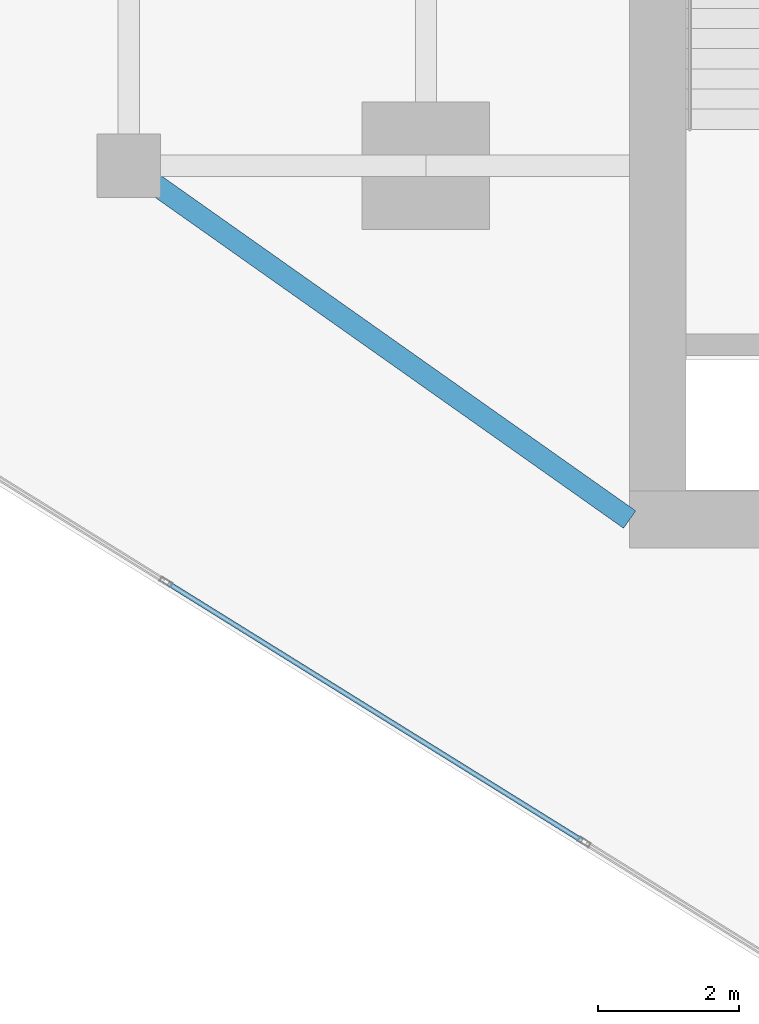
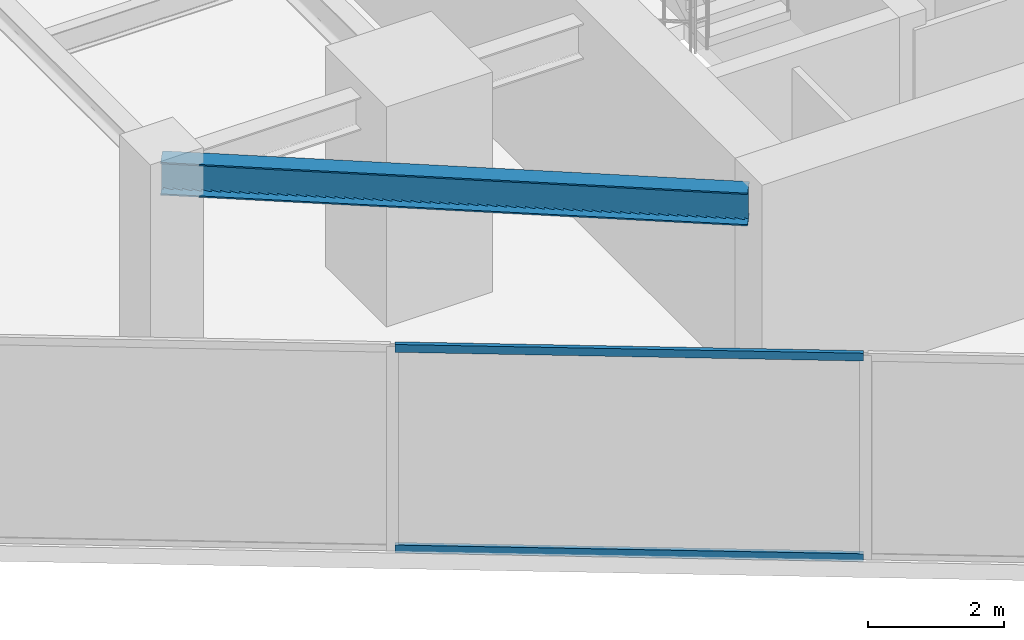
# One storey, part 4 of 25: 2 members, 1 beam, 1 element without a shape of its own.
"""IFC4 building model written with IfcOpenShell, lengths in metres."""

import ifcopenshell
import ifcopenshell.guid

model = None  # the IFC model being written
_history = None  # IfcOwnerHistory: only IFC2X3 demands one
_inside = {}  # id of a spatial element -> (the spatial element, [elements in it])
_under = {}  # id of a project, library or spatial element -> (it, [spatial elements below it])
_declared = {}  # id of a project -> (the project, [libraries it declares])
_typed = {}  # id of a type object -> (the type object, [elements of that type])
_made_of = {}  # id of a material, layer set ... -> (it, [elements and type objects made of it])


def new_model(schema):
    """Start an empty IFC model of exactly this schema.

    Asked for "IFC4X3", IfcOpenShell would pick the latest addendum, in which some entities
    have other attributes; the version numbers below select the first issue.
    IFC2X3 requires an IfcOwnerHistory on every rooted entity: one is made here for all.
    """
    global model, _history
    if schema == "IFC4X3":
        model = ifcopenshell.file(schema_version=(4, 3, 0, 0))
    else:
        model = ifcopenshell.file(schema=schema)
    _inside.clear()
    _under.clear()
    _declared.clear()
    _typed.clear()
    _made_of.clear()
    _history = None
    if model.schema == "IFC2X3":
        org = make("IfcOrganization", Name="unknown")
        user = make(
            "IfcPersonAndOrganization",
            ThePerson=make("IfcPerson", FamilyName="unknown"),
            TheOrganization=org,
        )
        app = make(
            "IfcApplication",
            ApplicationDeveloper=org,
            Version="unknown",
            ApplicationFullName="unknown",
            ApplicationIdentifier="unknown",
        )
        _history = make(
            "IfcOwnerHistory",
            OwningUser=user,
            OwningApplication=app,
            ChangeAction="ADDED",
            CreationDate=0,
        )
    return model


def make(cls, **values):
    """One entity of the class cls with the attributes given. An attribute that is None is left unset."""
    return model.create_entity(
        cls, **{name: value for name, value in values.items() if value is not None}
    )


def rooted(cls, **values):
    """An entity with a GlobalId (a new one), such as an element, a storey or a relation."""
    return make(cls, GlobalId=ifcopenshell.guid.new(), OwnerHistory=_history, **values)


def si_unit(unit_type, name, prefix=None):
    """IfcSIUnit, for example si_unit("LENGTHUNIT", "METRE", prefix="MILLI")."""
    return make("IfcSIUnit", UnitType=unit_type, Prefix=prefix, Name=name)


def assignment(units):
    """IfcUnitAssignment: the units of a project."""
    return None if units is None else make("IfcUnitAssignment", Units=units)


def point(xyz):
    """IfcCartesianPoint."""
    return None if xyz is None else make("IfcCartesianPoint", Coordinates=xyz)


def direction(xyz):
    """IfcDirection."""
    return None if xyz is None else make("IfcDirection", DirectionRatios=xyz)


def frame(location, z_axis=None, x_axis=None):
    """IfcAxis2Placement3D, a coordinate frame: its origin and axes. An axis left out is left unset."""
    return make(
        "IfcAxis2Placement3D",
        Location=point(location),
        Axis=direction(z_axis),
        RefDirection=direction(x_axis),
    )


def frame_2d(location, x_axis=None):
    """IfcAxis2Placement2D, a coordinate frame in the plane: its origin and x axis."""
    return make(
        "IfcAxis2Placement2D", Location=point(location), RefDirection=direction(x_axis)
    )


def origin():
    """The frame at (0, 0, 0) with its axes left unset."""
    return frame((0.0, 0.0, 0.0))


def origin_2d():
    """The frame at (0, 0) in the plane with its x axis left unset."""
    return frame_2d((0.0, 0.0))


def place(relative_to, where):
    """IfcLocalPlacement: puts the frame where relative to a parent placement (None: the world)."""
    return make(
        "IfcLocalPlacement", PlacementRelTo=relative_to, RelativePlacement=where
    )


def context(
    kind, dimensions, precision=None, world=None, true_north=None, identifier=None
):
    """IfcGeometricRepresentationContext, for example the 3D "Model" context."""
    return make(
        "IfcGeometricRepresentationContext",
        ContextIdentifier=identifier,
        ContextType=kind,
        CoordinateSpaceDimension=dimensions,
        Precision=precision,
        WorldCoordinateSystem=world,
        TrueNorth=true_north,
    )


def subcontext(parent, identifier, kind, view, scale=None):
    """IfcGeometricRepresentationSubContext, for example "Body" below "Model"."""
    return make(
        "IfcGeometricRepresentationSubContext",
        ContextIdentifier=identifier,
        ContextType=kind,
        ParentContext=parent,
        TargetScale=scale,
        TargetView=view,
    )


def project(units=None, contexts=None):
    """IfcProject with its units and contexts."""
    return rooted(
        "IfcProject",
        Name="project",
        RepresentationContexts=contexts,
        UnitsInContext=assignment(units),
    )


def spatial(cls, under=None, at=None, **own):
    """A site, building, storey or space (cls), placed at a placement, below another one or the project."""
    s = rooted(cls, ObjectPlacement=at, **own)
    if under is not None:
        _under.setdefault(under.id(), (under, []))[1].append(s)
    return s


def profile(cls, at=None, kind="AREA", **sizes):
    """A parametric profile (cls). Its sizes go by their IFC names, for example OverallWidth=200.0."""
    return make(cls, ProfileType=kind, Position=at, **sizes)


def hollow_rectangle(**sizes):
    """IfcRectangleHollowProfileDef."""
    return profile("IfcRectangleHollowProfileDef", **sizes)


def i_section(**sizes):
    """IfcIShapeProfileDef."""
    return profile("IfcIShapeProfileDef", **sizes)


def extrude(swept, where, along, depth):
    """IfcExtrudedAreaSolid: the profile swept, set in the frame where, extruded along a direction by depth."""
    return make(
        "IfcExtrudedAreaSolid",
        SweptArea=swept,
        Position=where,
        ExtrudedDirection=direction(along),
        Depth=depth,
    )


def shape(context_of_items, identifier, shape_type, items):
    """IfcShapeRepresentation: the items that make up one representation, for example the "Body"."""
    return make(
        "IfcShapeRepresentation",
        ContextOfItems=context_of_items,
        RepresentationIdentifier=identifier,
        RepresentationType=shape_type,
        Items=items,
    )


def source(mapping_origin, context_of_items, identifier, shape_type, items):
    """IfcRepresentationMap: a shape defined once, which mapped items show again and again."""
    return make(
        "IfcRepresentationMap",
        MappingOrigin=mapping_origin,
        MappedRepresentation=shape(context_of_items, identifier, shape_type, items),
    )


def transform(
    local_origin,
    x_axis=None,
    y_axis=None,
    z_axis=None,
    scale=None,
    scale2=None,
    scale3=None,
    uniform=True,
):
    """IfcCartesianTransformationOperator3D, or its non-uniform kind. x_axis, y_axis, z_axis: its Axis1, 2, 3."""
    if uniform:
        return make(
            "IfcCartesianTransformationOperator3D",
            Axis1=direction(x_axis),
            Axis2=direction(y_axis),
            LocalOrigin=point(local_origin),
            Scale=scale,
            Axis3=direction(z_axis),
        )
    return make(
        "IfcCartesianTransformationOperator3DnonUniform",
        Axis1=direction(x_axis),
        Axis2=direction(y_axis),
        LocalOrigin=point(local_origin),
        Scale=scale,
        Axis3=direction(z_axis),
        Scale2=scale2,
        Scale3=scale3,
    )


def mapped(mapping_source, mapping_target):
    """IfcMappedItem: shows the shape of a source again, moved by a transform."""
    return make(
        "IfcMappedItem", MappingSource=mapping_source, MappingTarget=mapping_target
    )


def material(Name=None, Category=None):
    """IfcMaterial."""
    return make("IfcMaterial", Name=Name, Category=Category)


def material_profile(
    of_material, cross_section, Name=None, Category=None, Priority=None
):
    """IfcMaterialProfile: a cross section and its material."""
    return make(
        "IfcMaterialProfile",
        Name=Name,
        Material=of_material,
        Profile=cross_section,
        Priority=Priority,
        Category=Category,
    )


def profile_set(profiles, Name=None, composite=None):
    """IfcMaterialProfileSet."""
    return make(
        "IfcMaterialProfileSet",
        Name=Name,
        MaterialProfiles=profiles,
        CompositeProfile=composite,
    )


def made_of(thing, what):
    """Note that an element or type object is made of a material, layer set ...; save() writes the relation."""
    if what is not None:
        _made_of.setdefault(what.id(), (what, []))[1].append(thing)
    return thing


def type_object(cls, material=None, **own):
    """A type object (cls), such as IfcWallType, which elements share."""
    return made_of(rooted(cls, **own), material)


def type_shapes(of_type, sources):
    """Give a type object the sources (RepresentationMaps) that its elements show as mapped items."""
    of_type.RepresentationMaps = sources


def element(
    cls,
    number,
    at=None,
    inside=None,
    cuts=None,
    type_object=None,
    material=None,
    context=None,
    identifier="Body",
    shape_type=None,
    held_by="IfcProductDefinitionShape",
    body=None,
    shapes=None,
    **own,
):
    """One element of the class cls, such as IfcWall. Its Tag is "e" and its number.

    at: its placement. inside: the storey or other place that contains it. cuts: it is an
    opening in that element (IfcRelVoidsElement). A single representation is given by context,
    identifier, shape_type and body (its items); several are given by shapes. held_by: the class
    of the entity that holds the representations. save() writes the other relations.
    """
    e = rooted(cls, Tag="e%d" % number, ObjectPlacement=at, **own)
    if body is not None:
        shapes = [shape(context, identifier, shape_type, body)]
    if shapes is not None:
        e.Representation = make(held_by, Representations=shapes)
    if inside is not None:
        _inside.setdefault(inside.id(), (inside, []))[1].append(e)
    if cuts is not None:
        rooted(
            "IfcRelVoidsElement", RelatingBuildingElement=cuts, RelatedOpeningElement=e
        )
    if type_object is not None:
        _typed.setdefault(type_object.id(), (type_object, []))[1].append(e)
    return made_of(e, material)


def aggregate(whole, parts):
    """IfcRelAggregates: a whole, such as a stair, and the parts it consists of."""
    return rooted("IfcRelAggregates", RelatingObject=whole, RelatedObjects=parts)


def save(model, path):
    """Write the relations noted so far, then the file.

    IfcRelAggregates (storeys below a building ...), IfcRelContainedInSpatialStructure (elements
    in a storey), IfcRelDefinesByType, IfcRelAssociatesMaterial and IfcRelDeclares: one each for
    every whole, place, type object, material and project.
    """
    for whole, parts in _under.values():
        aggregate(whole, parts)
    for where, things in _inside.values():
        rooted(
            "IfcRelContainedInSpatialStructure",
            RelatedElements=things,
            RelatingStructure=where,
        )
    for kind, things in _typed.values():
        rooted("IfcRelDefinesByType", RelatedObjects=things, RelatingType=kind)
    for what, things in _made_of.values():
        rooted("IfcRelAssociatesMaterial", RelatedObjects=things, RelatingMaterial=what)
    for by, libraries in _declared.values():
        rooted("IfcRelDeclares", RelatingContext=by, RelatedDefinitions=libraries)
    model.write(path)


model = new_model("IFC4")

# Units and contexts
model_context = context("Model", 3, precision=1e-05, world=origin(), true_north=direction((0.0, 1.0)))
body_context = subcontext(model_context, "Body", "Model", "MODEL_VIEW")
ifc_project = project(units=[si_unit("LENGTHUNIT", "METRE"), si_unit("AREAUNIT", "SQUARE_METRE"), si_unit("VOLUMEUNIT", "CUBIC_METRE"), si_unit("PLANEANGLEUNIT", "RADIAN"), si_unit("MASSUNIT", "GRAM", prefix="KILO")], contexts=[model_context])

# Site, building, storey
site_placement = place(None, origin())
site = spatial("IfcSite", under=ifc_project, at=site_placement, CompositionType="ELEMENT")
building_placement = place(site_placement, origin())
building = spatial("IfcBuilding", under=site, at=building_placement, Name="Krantzveldt Concourse Tower", CompositionType="ELEMENT")
storey_placement = place(building_placement, frame((0.0, 0.0, 177.800048828125)))
storey = spatial("IfcBuildingStorey", under=building, at=storey_placement, Name="L43", CompositionType="ELEMENT", Elevation=177.800048828125)

# Beam
ifc_material_1 = material(Name="Steel S355JR", Category="steel")
ifc_material_profile_1 = material_profile(ifc_material_1, i_section(OverallWidth=0.300048828125, OverallDepth=0.590087890625, WebThickness=0.012939453125, FlangeThickness=0.02490234375, FilletRadius=0.027099609375, at=origin_2d()), Name="Steel S355JR", Category="steel")
ifc_profile_set_1 = profile_set([ifc_material_profile_1], Name="Steel S355JR - HEA 600")
beam_type = type_object("IfcBeamType", Name="BM-B-HEA600", PredefinedType="BEAM", material=ifc_profile_set_1)
shared_shape_1 = source(origin(), body_context, "Body", "SweptSolid", [
    extrude(i_section(OverallWidth=0.300048828125, OverallDepth=0.590087890625, WebThickness=0.012939453125, FlangeThickness=0.02490234375, FilletRadius=0.027099609375, at=origin_2d()), origin(), (0.0, 0.0, 1.0), 8.667724609375),
])
type_shapes(beam_type, [shared_shape_1])
beam_placement = place(storey_placement, frame((21.0, 15.89990234375, 3.375), z_axis=(0.81684294656, -0.576860122261, 0.0), x_axis=(0.576860122261, 0.81684294656, 0.0)))
element("IfcBeam", 1, at=beam_placement, inside=storey, type_object=beam_type, Name="L43 Tower Girder BR-CSW", PredefinedType="BEAM", context=body_context, shape_type="MappedRepresentation", body=[
    mapped(shared_shape_1, transform((0.0, 0.0, 0.0), x_axis=(1.0, 0.0, 0.0), y_axis=(0.0, 1.0, 0.0), z_axis=(0.0, 0.0, 1.0), scale=1.0)),
])

# Curtain wall, members
ifc_material_2 = material(Name="Anodised aluminium 6063-T6", Category="aluminium")
curtain_wall_type = type_object("IfcCurtainWallType", Name="CW3", PredefinedType="USERDEFINED", material=ifc_material_2)
curtain_wall_placement = place(storey_placement, origin())
curtain_wall = element("IfcCurtainWall", 2, at=curtain_wall_placement, inside=storey, type_object=curtain_wall_type, Name="CW-L43-F04", ObjectType="UNITISED CURTAIN WALL", PredefinedType="USERDEFINED")
ifc_material_profile_2 = material_profile(ifc_material_2, hollow_rectangle(XDim=0.070068359375, YDim=0.139892578125, WallThickness=0.0048828125, at=origin_2d()), Name="Anodised aluminium 6063-T6", Category="aluminium")
ifc_profile_set_2 = profile_set([ifc_material_profile_2], Name="Anodised aluminium 6063-T6 - ALU-TRAN 140x70x5")
member_type = type_object("IfcMemberType", Name="CW-TRN-150", PredefinedType="USERDEFINED", material=ifc_profile_set_2)
shared_shape_2 = source(origin(), body_context, "Body", "SweptSolid", [
    extrude(hollow_rectangle(XDim=0.070068359375, YDim=0.139892578125, WallThickness=0.0048828125, at=origin_2d()), origin(), (0.0, 0.0, 1.0), 6.89013671875),
])
type_shapes(member_type, [shared_shape_2])
member_1_placement = place(storey_placement, frame((21.557373046875, 9.998046875, 0.034912109375), z_axis=(0.849202443437, -0.528067429464, 0.0), x_axis=(0.528067429464, 0.849202443437, 0.0)))
member_1 = element("IfcMember", 3, at=member_1_placement, type_object=member_type, Name="CW-Z34 transom 3.1", ObjectType="TRANSOM", PredefinedType="USERDEFINED", context=body_context, shape_type="MappedRepresentation", body=[
    mapped(shared_shape_2, transform((0.0, 0.0, 0.0), x_axis=(1.0, 0.0, 0.0), y_axis=(0.0, 1.0, 0.0), z_axis=(0.0, 0.0, 1.0), scale=1.0)),
])
member_2_placement = place(storey_placement, frame((21.557373046875, 9.998046875, 3.635009765625), z_axis=(0.849202443437, -0.528067429464, 0.0), x_axis=(0.528067429464, 0.849202443437, 0.0)))
member_2 = element("IfcMember", 4, at=member_2_placement, type_object=member_type, Name="CW-Z34 transom 3.2", ObjectType="TRANSOM", PredefinedType="USERDEFINED", context=body_context, shape_type="MappedRepresentation", body=[
    mapped(shared_shape_2, transform((0.0, 0.0, 0.0), x_axis=(1.0, 0.0, 0.0), y_axis=(0.0, 1.0, 0.0), z_axis=(0.0, 0.0, 1.0), scale=1.0)),
])
aggregate(curtain_wall, [member_1, member_2])

save(model, "model.ifc")
